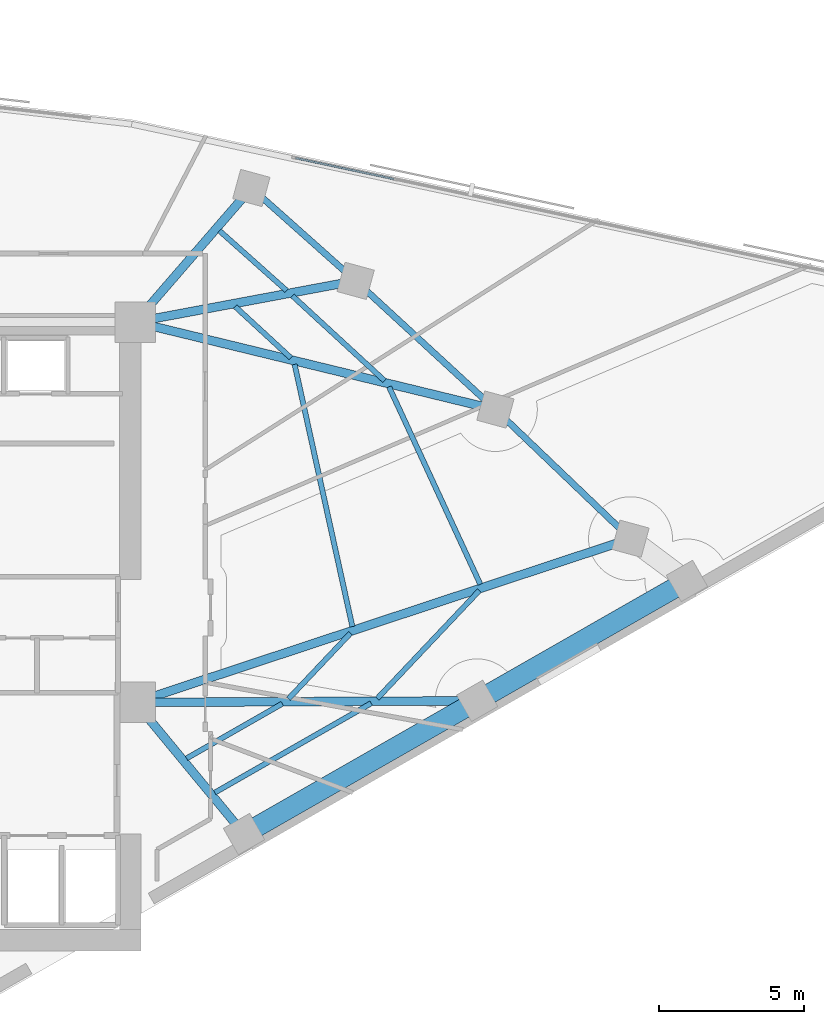
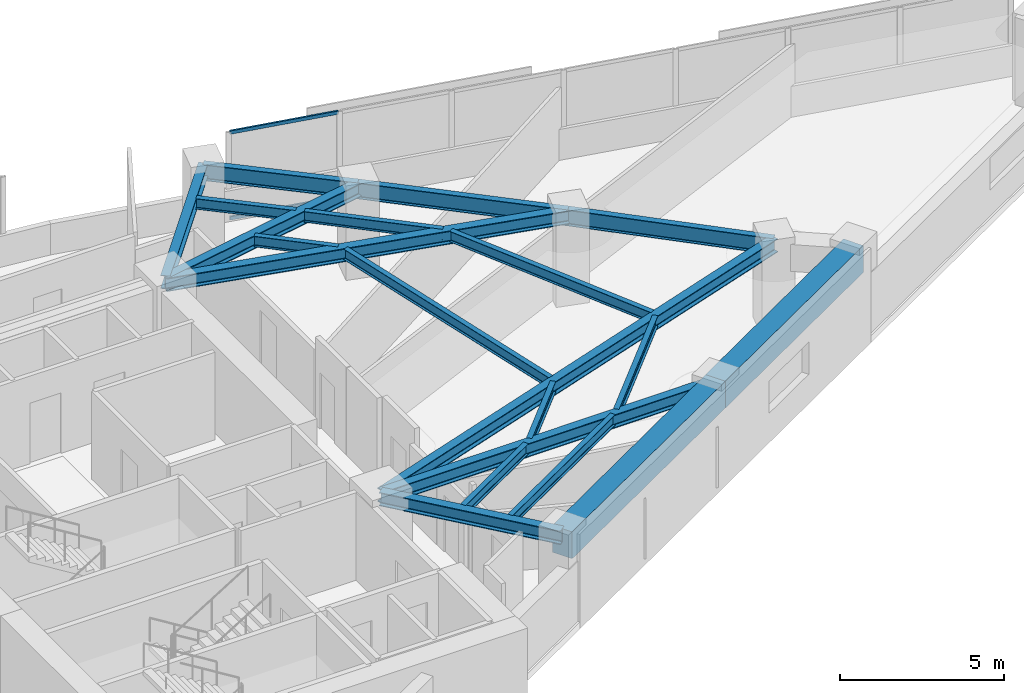
# One storey, part 3 of 13: 20 beams, 2 members, 1 element without a shape of its own.
"""IFC4 building model written with IfcOpenShell, lengths in metres."""

import ifcopenshell
import ifcopenshell.guid

model = None  # the IFC model being written
_history = None  # IfcOwnerHistory: only IFC2X3 demands one
_inside = {}  # id of a spatial element -> (the spatial element, [elements in it])
_under = {}  # id of a project, library or spatial element -> (it, [spatial elements below it])
_declared = {}  # id of a project -> (the project, [libraries it declares])
_typed = {}  # id of a type object -> (the type object, [elements of that type])
_made_of = {}  # id of a material, layer set ... -> (it, [elements and type objects made of it])


def new_model(schema):
    """Start an empty IFC model of exactly this schema.

    Asked for "IFC4X3", IfcOpenShell would pick the latest addendum, in which some entities
    have other attributes; the version numbers below select the first issue.
    IFC2X3 requires an IfcOwnerHistory on every rooted entity: one is made here for all.
    """
    global model, _history
    if schema == "IFC4X3":
        model = ifcopenshell.file(schema_version=(4, 3, 0, 0))
    else:
        model = ifcopenshell.file(schema=schema)
    _inside.clear()
    _under.clear()
    _declared.clear()
    _typed.clear()
    _made_of.clear()
    _history = None
    if model.schema == "IFC2X3":
        org = make("IfcOrganization", Name="unknown")
        user = make(
            "IfcPersonAndOrganization",
            ThePerson=make("IfcPerson", FamilyName="unknown"),
            TheOrganization=org,
        )
        app = make(
            "IfcApplication",
            ApplicationDeveloper=org,
            Version="unknown",
            ApplicationFullName="unknown",
            ApplicationIdentifier="unknown",
        )
        _history = make(
            "IfcOwnerHistory",
            OwningUser=user,
            OwningApplication=app,
            ChangeAction="ADDED",
            CreationDate=0,
        )
    return model


def make(cls, **values):
    """One entity of the class cls with the attributes given. An attribute that is None is left unset."""
    return model.create_entity(
        cls, **{name: value for name, value in values.items() if value is not None}
    )


def rooted(cls, **values):
    """An entity with a GlobalId (a new one), such as an element, a storey or a relation."""
    return make(cls, GlobalId=ifcopenshell.guid.new(), OwnerHistory=_history, **values)


def si_unit(unit_type, name, prefix=None):
    """IfcSIUnit, for example si_unit("LENGTHUNIT", "METRE", prefix="MILLI")."""
    return make("IfcSIUnit", UnitType=unit_type, Prefix=prefix, Name=name)


def assignment(units):
    """IfcUnitAssignment: the units of a project."""
    return None if units is None else make("IfcUnitAssignment", Units=units)


def point(xyz):
    """IfcCartesianPoint."""
    return None if xyz is None else make("IfcCartesianPoint", Coordinates=xyz)


def direction(xyz):
    """IfcDirection."""
    return None if xyz is None else make("IfcDirection", DirectionRatios=xyz)


def frame(location, z_axis=None, x_axis=None):
    """IfcAxis2Placement3D, a coordinate frame: its origin and axes. An axis left out is left unset."""
    return make(
        "IfcAxis2Placement3D",
        Location=point(location),
        Axis=direction(z_axis),
        RefDirection=direction(x_axis),
    )


def frame_2d(location, x_axis=None):
    """IfcAxis2Placement2D, a coordinate frame in the plane: its origin and x axis."""
    return make(
        "IfcAxis2Placement2D", Location=point(location), RefDirection=direction(x_axis)
    )


def origin():
    """The frame at (0, 0, 0) with its axes left unset."""
    return frame((0.0, 0.0, 0.0))


def origin_2d():
    """The frame at (0, 0) in the plane with its x axis left unset."""
    return frame_2d((0.0, 0.0))


def place(relative_to, where):
    """IfcLocalPlacement: puts the frame where relative to a parent placement (None: the world)."""
    return make(
        "IfcLocalPlacement", PlacementRelTo=relative_to, RelativePlacement=where
    )


def context(
    kind, dimensions, precision=None, world=None, true_north=None, identifier=None
):
    """IfcGeometricRepresentationContext, for example the 3D "Model" context."""
    return make(
        "IfcGeometricRepresentationContext",
        ContextIdentifier=identifier,
        ContextType=kind,
        CoordinateSpaceDimension=dimensions,
        Precision=precision,
        WorldCoordinateSystem=world,
        TrueNorth=true_north,
    )


def subcontext(parent, identifier, kind, view, scale=None):
    """IfcGeometricRepresentationSubContext, for example "Body" below "Model"."""
    return make(
        "IfcGeometricRepresentationSubContext",
        ContextIdentifier=identifier,
        ContextType=kind,
        ParentContext=parent,
        TargetScale=scale,
        TargetView=view,
    )


def project(units=None, contexts=None):
    """IfcProject with its units and contexts."""
    return rooted(
        "IfcProject",
        Name="project",
        RepresentationContexts=contexts,
        UnitsInContext=assignment(units),
    )


def spatial(cls, under=None, at=None, **own):
    """A site, building, storey or space (cls), placed at a placement, below another one or the project."""
    s = rooted(cls, ObjectPlacement=at, **own)
    if under is not None:
        _under.setdefault(under.id(), (under, []))[1].append(s)
    return s


def profile(cls, at=None, kind="AREA", **sizes):
    """A parametric profile (cls). Its sizes go by their IFC names, for example OverallWidth=200.0."""
    return make(cls, ProfileType=kind, Position=at, **sizes)


def rectangle(**sizes):
    """IfcRectangleProfileDef."""
    return profile("IfcRectangleProfileDef", **sizes)


def hollow_rectangle(**sizes):
    """IfcRectangleHollowProfileDef."""
    return profile("IfcRectangleHollowProfileDef", **sizes)


def i_section(**sizes):
    """IfcIShapeProfileDef."""
    return profile("IfcIShapeProfileDef", **sizes)


def extrude(swept, where, along, depth):
    """IfcExtrudedAreaSolid: the profile swept, set in the frame where, extruded along a direction by depth."""
    return make(
        "IfcExtrudedAreaSolid",
        SweptArea=swept,
        Position=where,
        ExtrudedDirection=direction(along),
        Depth=depth,
    )


def shape(context_of_items, identifier, shape_type, items):
    """IfcShapeRepresentation: the items that make up one representation, for example the "Body"."""
    return make(
        "IfcShapeRepresentation",
        ContextOfItems=context_of_items,
        RepresentationIdentifier=identifier,
        RepresentationType=shape_type,
        Items=items,
    )


def material(Name=None, Category=None):
    """IfcMaterial."""
    return make("IfcMaterial", Name=Name, Category=Category)


def material_profile(
    of_material, cross_section, Name=None, Category=None, Priority=None
):
    """IfcMaterialProfile: a cross section and its material."""
    return make(
        "IfcMaterialProfile",
        Name=Name,
        Material=of_material,
        Profile=cross_section,
        Priority=Priority,
        Category=Category,
    )


def profile_set(profiles, Name=None, composite=None):
    """IfcMaterialProfileSet."""
    return make(
        "IfcMaterialProfileSet",
        Name=Name,
        MaterialProfiles=profiles,
        CompositeProfile=composite,
    )


def made_of(thing, what):
    """Note that an element or type object is made of a material, layer set ...; save() writes the relation."""
    if what is not None:
        _made_of.setdefault(what.id(), (what, []))[1].append(thing)
    return thing


def type_object(cls, material=None, **own):
    """A type object (cls), such as IfcWallType, which elements share."""
    return made_of(rooted(cls, **own), material)


def element(
    cls,
    number,
    at=None,
    inside=None,
    cuts=None,
    type_object=None,
    material=None,
    context=None,
    identifier="Body",
    shape_type=None,
    held_by="IfcProductDefinitionShape",
    body=None,
    shapes=None,
    **own,
):
    """One element of the class cls, such as IfcWall. Its Tag is "e" and its number.

    at: its placement. inside: the storey or other place that contains it. cuts: it is an
    opening in that element (IfcRelVoidsElement). A single representation is given by context,
    identifier, shape_type and body (its items); several are given by shapes. held_by: the class
    of the entity that holds the representations. save() writes the other relations.
    """
    e = rooted(cls, Tag="e%d" % number, ObjectPlacement=at, **own)
    if body is not None:
        shapes = [shape(context, identifier, shape_type, body)]
    if shapes is not None:
        e.Representation = make(held_by, Representations=shapes)
    if inside is not None:
        _inside.setdefault(inside.id(), (inside, []))[1].append(e)
    if cuts is not None:
        rooted(
            "IfcRelVoidsElement", RelatingBuildingElement=cuts, RelatedOpeningElement=e
        )
    if type_object is not None:
        _typed.setdefault(type_object.id(), (type_object, []))[1].append(e)
    return made_of(e, material)


def aggregate(whole, parts):
    """IfcRelAggregates: a whole, such as a stair, and the parts it consists of."""
    return rooted("IfcRelAggregates", RelatingObject=whole, RelatedObjects=parts)


def save(model, path):
    """Write the relations noted so far, then the file.

    IfcRelAggregates (storeys below a building ...), IfcRelContainedInSpatialStructure (elements
    in a storey), IfcRelDefinesByType, IfcRelAssociatesMaterial and IfcRelDeclares: one each for
    every whole, place, type object, material and project.
    """
    for whole, parts in _under.values():
        aggregate(whole, parts)
    for where, things in _inside.values():
        rooted(
            "IfcRelContainedInSpatialStructure",
            RelatedElements=things,
            RelatingStructure=where,
        )
    for kind, things in _typed.values():
        rooted("IfcRelDefinesByType", RelatedObjects=things, RelatingType=kind)
    for what, things in _made_of.values():
        rooted("IfcRelAssociatesMaterial", RelatedObjects=things, RelatingMaterial=what)
    for by, libraries in _declared.values():
        rooted("IfcRelDeclares", RelatingContext=by, RelatedDefinitions=libraries)
    model.write(path)


model = new_model("IFC4")

# Units and contexts
model_context = context("Model", 3, precision=1e-05, world=origin(), true_north=direction((0.0, 1.0)))
body_context = subcontext(model_context, "Body", "Model", "MODEL_VIEW")
ifc_project = project(units=[si_unit("LENGTHUNIT", "METRE"), si_unit("AREAUNIT", "SQUARE_METRE"), si_unit("VOLUMEUNIT", "CUBIC_METRE"), si_unit("PLANEANGLEUNIT", "RADIAN"), si_unit("MASSUNIT", "GRAM", prefix="KILO")], contexts=[model_context])

# Site, building, storey
site_placement = place(None, origin())
site = spatial("IfcSite", under=ifc_project, at=site_placement, CompositionType="ELEMENT")
building_placement = place(site_placement, origin())
building = spatial("IfcBuilding", under=site, at=building_placement, Name="Narakoshi Arena Tower", CompositionType="ELEMENT")
storey_placement = place(building_placement, frame((0.0, 0.0, 225.5400390625)))
storey = spatial("IfcBuildingStorey", under=building, at=storey_placement, Name="L61", CompositionType="ELEMENT", Elevation=225.5400390625)

# Beams
ifc_material_1 = material(Name="Concrete C60/75", Category="concrete")
ifc_material_profile_1 = material_profile(ifc_material_1, rectangle(XDim=0.699951171875, YDim=1.0, at=origin_2d()), Name="RCB700x1000")
ifc_profile_set_1 = profile_set([ifc_material_profile_1], Name="Concrete C60/75")
beam_type_1 = type_object("IfcBeamType", Name="BM-CPL-1000", PredefinedType="BEAM", material=ifc_profile_set_1)
beam_1_placement = place(storey_placement, frame((89.30810546875, 38.798583984375, 2.760009765625), z_axis=(0.868201055882, 0.496212582031, 0.0), x_axis=(-0.496212582031, 0.868201055882, 0.0)))
element("IfcBeam", 1, at=beam_1_placement, inside=storey, type_object=beam_type_1, Name="L61 Perimeter Edge Girder 01", PredefinedType="BEAM", context=body_context, shape_type="SweptSolid", body=[
    extrude(rectangle(XDim=0.699951171875, YDim=1.0, at=origin_2d()), origin(), (0.0, 0.0, 1.0), 9.2822265625),
])
beam_2_placement = place(storey_placement, frame((97.366943359375, 43.404541015625, 2.760009765625), z_axis=(0.868192782093, 0.49622705803, 0.0), x_axis=(-0.49622705803, 0.868192782093, 0.0)))
element("IfcBeam", 2, at=beam_2_placement, inside=storey, type_object=beam_type_1, Name="L61 Perimeter Edge Girder 02", PredefinedType="BEAM", context=body_context, shape_type="SweptSolid", body=[
    extrude(rectangle(XDim=0.699951171875, YDim=1.0, at=origin_2d()), origin(), (0.0, 0.0, 1.0), 8.35400390625),
])
ifc_material_2 = material(Name="Structural steel S355J2", Category="steel")
ifc_material_profile_2 = material_profile(ifc_material_2, i_section(OverallWidth=0.219970703125, OverallDepth=0.60009765625, WebThickness=0.011962890625, FlangeThickness=0.01904296875, FilletRadius=0.02392578125, at=origin_2d()), Name="IPE600")
ifc_profile_set_2 = profile_set([ifc_material_profile_2], Name="Structural steel S355J2")
beam_type_2 = type_object("IfcBeamType", Name="BM-EDGE-600", PredefinedType="BEAM", material=ifc_profile_set_2)
beam_3_placement = place(storey_placement, frame((102.668701171875, 49.009521484375, 2.9599609375), z_axis=(-0.722814960544, 0.691041628858, 0.0), x_axis=(-0.691041628858, -0.722814960544, 0.0)))
element("IfcBeam", 3, at=beam_3_placement, inside=storey, type_object=beam_type_2, Name="L61 Perimeter Edge Girder 04", PredefinedType="BEAM", context=body_context, shape_type="SweptSolid", body=[
    extrude(i_section(OverallWidth=0.219970703125, OverallDepth=0.60009765625, WebThickness=0.011962890625, FlangeThickness=0.01904296875, FilletRadius=0.02392578125, at=origin_2d()), origin(), (0.0, 0.0, 1.0), 6.462158203125),
])
beam_4_placement = place(storey_placement, frame((97.997802734375, 53.47509765625, 2.9599609375), z_axis=(-0.735632357906, 0.677381010954, 0.0), x_axis=(-0.677381010954, -0.735632357906, 0.0)))
element("IfcBeam", 4, at=beam_4_placement, inside=storey, type_object=beam_type_2, Name="L61 Perimeter Edge Girder 05", PredefinedType="BEAM", context=body_context, shape_type="SweptSolid", body=[
    extrude(i_section(OverallWidth=0.219970703125, OverallDepth=0.60009765625, WebThickness=0.011962890625, FlangeThickness=0.01904296875, FilletRadius=0.02392578125, at=origin_2d()), origin(), (0.0, 0.0, 1.0), 6.567626953125),
])
beam_5_placement = place(storey_placement, frame((93.16650390625, 57.923828125, 2.9599609375), z_axis=(-0.746739302131, 0.665116842857, 0.0), x_axis=(-0.665116842857, -0.746739302131, 0.0)))
element("IfcBeam", 5, at=beam_5_placement, inside=storey, type_object=beam_type_2, Name="L61 Perimeter Edge Girder 06", PredefinedType="BEAM", context=body_context, shape_type="SweptSolid", body=[
    extrude(i_section(OverallWidth=0.219970703125, OverallDepth=0.60009765625, WebThickness=0.011962890625, FlangeThickness=0.01904296875, FilletRadius=0.02392578125, at=origin_2d()), origin(), (0.0, 0.0, 1.0), 4.82763671875),
])
ifc_material_profile_3 = material_profile(ifc_material_2, i_section(OverallWidth=0.300048828125, OverallDepth=0.5, WebThickness=0.014404296875, FlangeThickness=0.028076171875, FilletRadius=0.027099609375, at=origin_2d()), Name="HE500B")
ifc_profile_set_3 = profile_set([ifc_material_profile_3], Name="Structural steel S355J2")
beam_type_3 = type_object("IfcBeamType", Name="BM-PRI-500", PredefinedType="BEAM", material=ifc_profile_set_3)
beam_6_placement = place(storey_placement, frame((85.550048828125, 43.35009765625, 3.010009765625), z_axis=(0.63669116064, -0.771118905204, 0.0), x_axis=(0.771118905204, 0.63669116064, 0.0)))
element("IfcBeam", 6, at=beam_6_placement, inside=storey, type_object=beam_type_3, Name="L61 Radial Primary Floor Girder 01", PredefinedType="BEAM", context=body_context, shape_type="SweptSolid", body=[
    extrude(i_section(OverallWidth=0.300048828125, OverallDepth=0.5, WebThickness=0.014404296875, FlangeThickness=0.028076171875, FilletRadius=0.027099609375, at=origin_2d()), origin(), (0.0, 0.0, 1.0), 5.902587890625),
])
beam_7_placement = place(storey_placement, frame((85.550048828125, 43.35009765625, 3.010009765625), z_axis=(0.999989386804, 0.004607198737, 0.0), x_axis=(-0.004607198737, 0.999989386804, 0.0)))
element("IfcBeam", 7, at=beam_7_placement, inside=storey, type_object=beam_type_3, Name="L61 Radial Primary Floor Girder 02", PredefinedType="BEAM", context=body_context, shape_type="SweptSolid", body=[
    extrude(i_section(OverallWidth=0.300048828125, OverallDepth=0.5, WebThickness=0.014404296875, FlangeThickness=0.028076171875, FilletRadius=0.027099609375, at=origin_2d()), origin(), (0.0, 0.0, 1.0), 11.817138671875),
])
beam_8_placement = place(storey_placement, frame((85.550048828125, 43.35009765625, 3.010009765625), z_axis=(0.949459022771, 0.313891006687, 0.0), x_axis=(-0.313891006687, 0.949459022771, 0.0)))
element("IfcBeam", 8, at=beam_8_placement, inside=storey, type_object=beam_type_3, Name="L61 Radial Primary Floor Girder 04", PredefinedType="BEAM", context=body_context, shape_type="SweptSolid", body=[
    extrude(i_section(OverallWidth=0.300048828125, OverallDepth=0.5, WebThickness=0.014404296875, FlangeThickness=0.028076171875, FilletRadius=0.027099609375, at=origin_2d()), origin(), (0.0, 0.0, 1.0), 18.02978515625),
])
beam_9_placement = place(storey_placement, frame((85.550048828125, 56.5, 3.010009765625), z_axis=(0.971720101952, -0.236135646318, 0.0), x_axis=(0.236135646318, 0.971720101952, 0.0)))
element("IfcBeam", 9, at=beam_9_placement, inside=storey, type_object=beam_type_3, Name="L61 Radial Primary Floor Girder 05", PredefinedType="BEAM", context=body_context, shape_type="SweptSolid", body=[
    extrude(i_section(OverallWidth=0.300048828125, OverallDepth=0.5, WebThickness=0.014404296875, FlangeThickness=0.028076171875, FilletRadius=0.027099609375, at=origin_2d()), origin(), (0.0, 0.0, 1.0), 12.81005859375),
])
beam_10_placement = place(storey_placement, frame((85.550048828125, 56.5, 3.010009765625), z_axis=(0.982971563011, 0.183757738099, 0.0), x_axis=(-0.183757738099, 0.982971563011, 0.0)))
element("IfcBeam", 10, at=beam_10_placement, inside=storey, type_object=beam_type_3, Name="L61 Radial Primary Floor Girder 06", PredefinedType="BEAM", context=body_context, shape_type="SweptSolid", body=[
    extrude(i_section(OverallWidth=0.300048828125, OverallDepth=0.5, WebThickness=0.014404296875, FlangeThickness=0.028076171875, FilletRadius=0.027099609375, at=origin_2d()), origin(), (0.0, 0.0, 1.0), 7.748291015625),
])
beam_11_placement = place(storey_placement, frame((85.550048828125, 56.5, 3.010009765625), z_axis=(0.654434553487, 0.756118651537, 0.0), x_axis=(-0.756118651537, 0.654434553487, 0.0)))
element("IfcBeam", 11, at=beam_11_placement, inside=storey, type_object=beam_type_3, Name="L61 Radial Primary Floor Girder 07", PredefinedType="BEAM", context=body_context, shape_type="SweptSolid", body=[
    extrude(i_section(OverallWidth=0.300048828125, OverallDepth=0.5, WebThickness=0.014404296875, FlangeThickness=0.028076171875, FilletRadius=0.027099609375, at=origin_2d()), origin(), (0.0, 0.0, 1.0), 6.129638671875),
])
ifc_material_profile_4 = material_profile(ifc_material_2, i_section(OverallWidth=0.179931640625, OverallDepth=0.39990234375, WebThickness=0.008544921875, FlangeThickness=0.013427734375, FilletRadius=0.02099609375, at=origin_2d()), Name="IPE400")
ifc_profile_set_4 = profile_set([ifc_material_profile_4], Name="Structural steel S355J2")
beam_type_4 = type_object("IfcBeamType", Name="BM-SEC-400", PredefinedType="JOIST", material=ifc_profile_set_4)
beam_12_placement = place(storey_placement, frame((87.32080078125, 41.414306640625, 3.06005859375), z_axis=(0.868195867723, 0.496221659411, 0.0), x_axis=(-0.496221659411, 0.868195867723, 0.0)))
element("IfcBeam", 12, at=beam_12_placement, inside=storey, type_object=beam_type_4, Name="L61 Composite Secondary Floor Joist 01", PredefinedType="JOIST", context=body_context, shape_type="SweptSolid", body=[
    extrude(i_section(OverallWidth=0.179931640625, OverallDepth=0.39990234375, WebThickness=0.008544921875, FlangeThickness=0.013427734375, FilletRadius=0.02099609375, at=origin_2d()), origin(), (0.0, 0.0, 1.0), 3.81396484375),
])
beam_13_placement = place(storey_placement, frame((88.2978515625, 40.23095703125, 3.06005859375), z_axis=(0.8681900623, 0.496231816517, 0.0), x_axis=(-0.496231816517, 0.8681900623, 0.0)))
element("IfcBeam", 13, at=beam_13_placement, inside=storey, type_object=beam_type_4, Name="L61 Composite Secondary Floor Joist 02", PredefinedType="JOIST", context=body_context, shape_type="SweptSolid", body=[
    extrude(i_section(OverallWidth=0.179931640625, OverallDepth=0.39990234375, WebThickness=0.008544921875, FlangeThickness=0.013427734375, FilletRadius=0.02099609375, at=origin_2d()), origin(), (0.0, 0.0, 1.0), 6.2275390625),
])
beam_14_placement = place(storey_placement, frame((90.84228515625, 43.47216796875, 3.06005859375), z_axis=(0.687183136643, 0.726484230189, 0.0), x_axis=(-0.726484230189, 0.687183136643, 0.0)))
element("IfcBeam", 14, at=beam_14_placement, inside=storey, type_object=beam_type_4, Name="L61 Composite Secondary Floor Joist 03", PredefinedType="JOIST", context=body_context, shape_type="SweptSolid", body=[
    extrude(i_section(OverallWidth=0.179931640625, OverallDepth=0.39990234375, WebThickness=0.008544921875, FlangeThickness=0.013427734375, FilletRadius=0.02099609375, at=origin_2d()), origin(), (0.0, 0.0, 1.0), 3.124755859375),
])
beam_15_placement = place(storey_placement, frame((93.91455078125, 43.486328125, 3.06005859375), z_axis=(0.687205962341, 0.726462638628, 0.0), x_axis=(-0.726462638628, 0.687205962341, 0.0)))
element("IfcBeam", 15, at=beam_15_placement, inside=storey, type_object=beam_type_4, Name="L61 Composite Secondary Floor Joist 04", PredefinedType="JOIST", context=body_context, shape_type="SweptSolid", body=[
    extrude(i_section(OverallWidth=0.179931640625, OverallDepth=0.39990234375, WebThickness=0.008544921875, FlangeThickness=0.013427734375, FilletRadius=0.02099609375, at=origin_2d()), origin(), (0.0, 0.0, 1.0), 5.130859375),
])
beam_16_placement = place(storey_placement, frame((93.05322265625, 45.971923828125, 3.06005859375), z_axis=(-0.215142244311, 0.976582722924, 0.0), x_axis=(-0.976582722924, -0.215142244311, 0.0)))
element("IfcBeam", 16, at=beam_16_placement, inside=storey, type_object=beam_type_4, Name="L61 Composite Secondary Floor Joist 05", PredefinedType="JOIST", context=body_context, shape_type="SweptSolid", body=[
    extrude(i_section(OverallWidth=0.179931640625, OverallDepth=0.39990234375, WebThickness=0.008544921875, FlangeThickness=0.013427734375, FilletRadius=0.02099609375, at=origin_2d()), origin(), (0.0, 0.0, 1.0), 9.282470703125),
])
beam_17_placement = place(storey_placement, frame((97.4765625, 47.43408203125, 3.06005859375), z_axis=(-0.419696271228, 0.907664607615, 0.0), x_axis=(-0.907664607615, -0.419696271228, 0.0)))
element("IfcBeam", 17, at=beam_17_placement, inside=storey, type_object=beam_type_4, Name="L61 Composite Secondary Floor Joist 06", PredefinedType="JOIST", context=body_context, shape_type="SweptSolid", body=[
    extrude(i_section(OverallWidth=0.179931640625, OverallDepth=0.39990234375, WebThickness=0.008544921875, FlangeThickness=0.013427734375, FilletRadius=0.02099609375, at=origin_2d()), origin(), (0.0, 0.0, 1.0), 7.520263671875),
])
beam_18_placement = place(storey_placement, frame((90.927734375, 55.260498046875, 3.06005859375), z_axis=(-0.735628197446, 0.677385529166, 0.0), x_axis=(-0.677385529166, -0.735628197446, 0.0)))
element("IfcBeam", 18, at=beam_18_placement, inside=storey, type_object=beam_type_4, Name="L61 Composite Secondary Floor Joist 07", PredefinedType="JOIST", context=body_context, shape_type="SweptSolid", body=[
    extrude(i_section(OverallWidth=0.179931640625, OverallDepth=0.39990234375, WebThickness=0.008544921875, FlangeThickness=0.013427734375, FilletRadius=0.02099609375, at=origin_2d()), origin(), (0.0, 0.0, 1.0), 2.619873046875),
])
beam_19_placement = place(storey_placement, frame((94.164306640625, 54.47412109375, 3.06005859375), z_axis=(-0.735672341295, 0.677337586624, 0.0), x_axis=(-0.677337586624, -0.735672341295, 0.0)))
element("IfcBeam", 19, at=beam_19_placement, inside=storey, type_object=beam_type_4, Name="L61 Composite Secondary Floor Joist 08", PredefinedType="JOIST", context=body_context, shape_type="SweptSolid", body=[
    extrude(i_section(OverallWidth=0.179931640625, OverallDepth=0.39990234375, WebThickness=0.008544921875, FlangeThickness=0.013427734375, FilletRadius=0.02099609375, at=origin_2d()), origin(), (0.0, 0.0, 1.0), 4.327392578125),
])
beam_20_placement = place(storey_placement, frame((90.78076171875, 57.58642578125, 3.06005859375), z_axis=(-0.746720111739, 0.665138387649, 0.0), x_axis=(-0.665138387649, -0.746720111739, 0.0)))
element("IfcBeam", 20, at=beam_20_placement, inside=storey, type_object=beam_type_4, Name="L61 Composite Secondary Floor Joist 09", PredefinedType="JOIST", context=body_context, shape_type="SweptSolid", body=[
    extrude(i_section(OverallWidth=0.179931640625, OverallDepth=0.39990234375, WebThickness=0.008544921875, FlangeThickness=0.013427734375, FilletRadius=0.02099609375, at=origin_2d()), origin(), (0.0, 0.0, 1.0), 3.109375),
])

# Curtain wall, members
ifc_material_3 = material(Name="Anodised bronze aluminium 6063-T6", Category="aluminium")
curtain_wall_type = type_object("IfcCurtainWallType", Name="CW-HYP-MID", PredefinedType="NOTDEFINED", material=ifc_material_3)
curtain_wall_placement = place(storey_placement, origin())
curtain_wall = element("IfcCurtainWall", 21, at=curtain_wall_placement, inside=storey, type_object=curtain_wall_type, Name="L61 Folded Hypotenuse Curtain Wall 1-1", PredefinedType="NOTDEFINED")
ifc_material_profile_5 = material_profile(ifc_material_3, hollow_rectangle(XDim=0.06494140625, YDim=0.1298828125, WallThickness=0.00390625, OuterFilletRadius=0.0048828125, at=origin_2d()), Name="TRN130x65x4")
ifc_profile_set_5 = profile_set([ifc_material_profile_5], Name="Anodised bronze aluminium 6063-T6")
member_type = type_object("IfcMemberType", Name="MEM-TRN-130", PredefinedType="USERDEFINED", material=ifc_profile_set_5)
member_1_placement = place(storey_placement, frame((94.4892578125, 61.442138671875, 0.032470703125), z_axis=(-0.977945872942, 0.208858491797, 0.0), x_axis=(-0.208858491797, -0.977945872942, 0.0)))
member_1 = element("IfcMember", 22, at=member_1_placement, type_object=member_type, Name="CW-02 transom 7.1", ObjectType="TRANSOM", PredefinedType="USERDEFINED", context=body_context, shape_type="SweptSolid", body=[
    extrude(hollow_rectangle(XDim=0.06494140625, YDim=0.1298828125, WallThickness=0.00390625, OuterFilletRadius=0.0048828125, at=origin_2d()), origin(), (0.0, 0.0, 1.0), 3.48095703125),
])
member_2_placement = place(storey_placement, frame((94.4892578125, 61.442138671875, 3.2275390625), z_axis=(-0.977945872942, 0.208858491797, 0.0), x_axis=(-0.208858491797, -0.977945872942, 0.0)))
member_2 = element("IfcMember", 23, at=member_2_placement, type_object=member_type, Name="CW-02 transom 7.2", ObjectType="TRANSOM", PredefinedType="USERDEFINED", context=body_context, shape_type="SweptSolid", body=[
    extrude(hollow_rectangle(XDim=0.06494140625, YDim=0.1298828125, WallThickness=0.00390625, OuterFilletRadius=0.0048828125, at=origin_2d()), origin(), (0.0, 0.0, 1.0), 3.48095703125),
])
aggregate(curtain_wall, [member_1, member_2])

save(model, "model.ifc")
